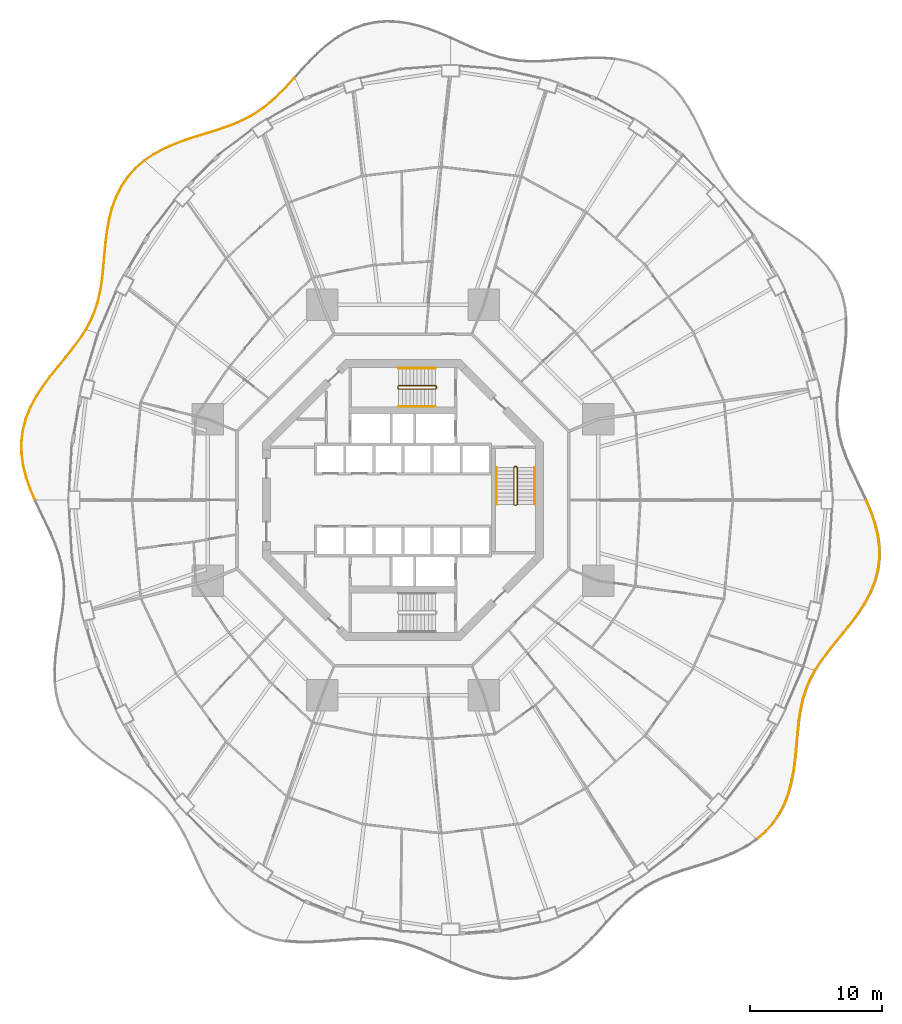
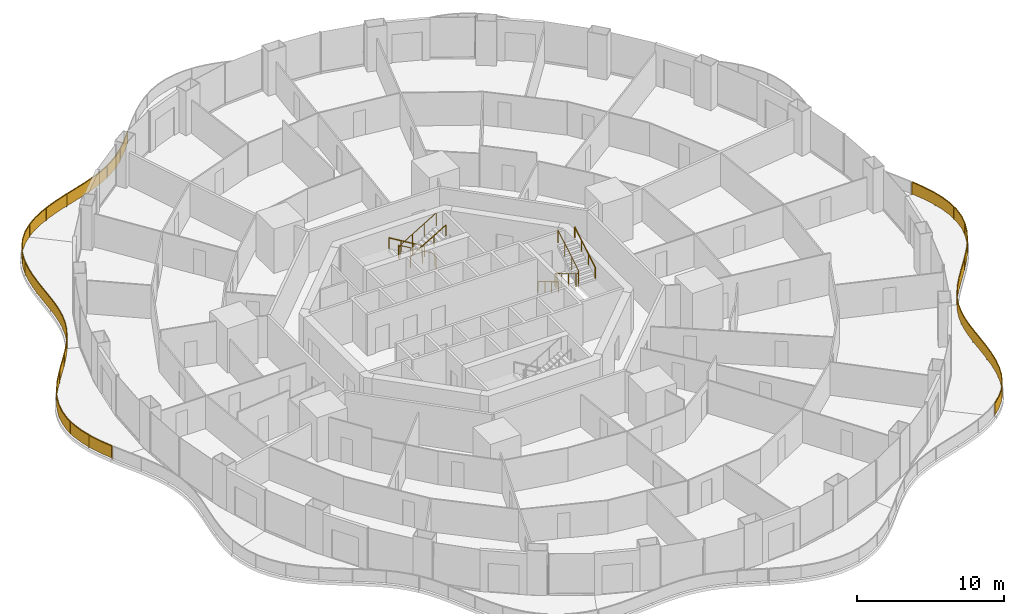
# One storey, part 20 of 21: 11 railings.
"""IFC4 building model written with IfcOpenShell, lengths in metres."""

from ifc_helpers import new_model, si_unit, direction, frame, origin, origin_2d, place, context, subcontext, project, spatial, polyline, rectangle, circle, outline, extrude, material, type_object, element, save


model = new_model("IFC4")

# Units and contexts
model_context = context("Model", 3, precision=1e-05, world=origin(), true_north=direction((0.0, 1.0)))
body_context = subcontext(model_context, "Body", "Model", "MODEL_VIEW")
ifc_project = project(units=[si_unit("LENGTHUNIT", "METRE"), si_unit("AREAUNIT", "SQUARE_METRE"), si_unit("VOLUMEUNIT", "CUBIC_METRE"), si_unit("PLANEANGLEUNIT", "RADIAN"), si_unit("MASSUNIT", "GRAM", prefix="KILO")], contexts=[model_context])

# Site, building, storey
site_placement = place(None, origin())
site = spatial("IfcSite", under=ifc_project, at=site_placement, CompositionType="ELEMENT")
building_placement = place(site_placement, origin())
building = spatial("IfcBuilding", under=site, at=building_placement, Name="Nagisa Residences", CompositionType="ELEMENT")
storey_placement = place(building_placement, frame((0.0, 0.0, 60.300048828125)))
storey = spatial("IfcBuildingStorey", under=building, at=storey_placement, Name="L14", CompositionType="ELEMENT", Elevation=60.300048828125)

# Railings
ifc_material_1 = material(Name="Stainless steel 316", Category="steel")
railing_type_1 = type_object("IfcRailingType", Name="BALCONY GUARD 1100", PredefinedType="BALUSTRADE", material=ifc_material_1)
railing_1_placement = place(storey_placement, frame((-8.225341796875, 31.950927734375, 0.0)))
element("IfcRailing", 1, at=railing_1_placement, inside=storey, type_object=railing_type_1, Name="guard:L14:bal05-0", PredefinedType="BALUSTRADE", context=body_context, shape_type="SweptSolid", body=[
    extrude(outline(polyline([(-0.520751953125, -0.6103515625), (0.0185546875, -0.016845703125), (-0.0185546875, 0.016845703125), (-0.557373046875, -0.576171875), (-1.127197265625, -1.16748046875), (-1.707275390625, -1.712890625), (-2.307373046875, -2.204833984375), (-2.936767578125, -2.640625), (-3.587646484375, -3.012451171875), (-4.29248046875, -3.344482421875), (-5.03662109375, -3.63720703125), (-5.8173828125, -3.903076171875), (-6.626953125, -4.156982421875), (-7.443603515625, -4.40380859375), (-8.27880859375, -4.680908203125), (-9.105224609375, -4.992431640625), (-9.9072265625, -5.351806640625), (-10.669189453125, -5.768798828125), (-11.337646484375, -6.223388671875), (-11.309326171875, -6.264892578125), (-10.642822265625, -5.811767578125), (-9.884765625, -5.396728515625), (-9.086181640625, -5.038818359375), (-8.26220703125, -4.728271484375), (-7.428466796875, -4.45166015625), (-6.6123046875, -4.204833984375), (-5.8017578125, -3.950439453125), (-5.01953125, -3.68408203125), (-4.2724609375, -3.390380859375), (-3.564697265625, -3.056884765625), (-2.909912109375, -2.68310546875), (-2.277099609375, -2.244873046875), (-1.674072265625, -1.75048828125), (-1.092041015625, -1.203125), (-0.520751953125, -0.6103515625)])), frame((0.0, 0.0, 1.050048828125)), (0.0, 0.0, 1.0), 0.050048828125),
    extrude(outline(polyline([(-0.533935546875, -0.59814453125), (0.005126953125, -0.004638671875), (-0.005126953125, 0.004638671875), (-0.544189453125, -0.58837890625), (-1.114501953125, -1.180419921875), (-1.6953125, -1.726318359375), (-2.29638671875, -2.21923828125), (-2.927001953125, -2.656005859375), (-3.579345703125, -3.028564453125), (-4.28515625, -3.361083984375), (-5.030517578125, -3.654052734375), (-5.811767578125, -3.920166015625), (-6.62158203125, -4.17431640625), (-7.438232421875, -4.421142578125), (-8.27294921875, -4.697998046875), (-9.098388671875, -5.009033203125), (-9.899169921875, -5.367919921875), (-10.65966796875, -5.784423828125), (-11.327392578125, -6.23828125), (-11.319580078125, -6.25), (-10.65234375, -5.796142578125), (-9.892822265625, -5.380615234375), (-9.093017578125, -5.022216796875), (-8.26806640625, -4.711181640625), (-7.433837890625, -4.434326171875), (-6.61767578125, -4.1875), (-5.807373046875, -3.933349609375), (-5.025634765625, -3.667236328125), (-4.27978515625, -3.373779296875), (-3.572998046875, -3.040771484375), (-2.919677734375, -2.667724609375), (-2.2880859375, -2.23046875), (-1.68603515625, -1.737060546875), (-1.104736328125, -1.190185546875), (-0.533935546875, -0.59814453125)])), frame((0.0, 0.0, 0.06005859375)), (0.0, 0.0, 1.0), 0.989990234375),
    extrude(rectangle(XDim=0.0400390625, YDim=0.0400390625, at=origin_2d()), origin(), (0.0, 0.0, 1.0), 1.050048828125),
    extrude(rectangle(XDim=0.0400390625, YDim=0.0400390625, at=origin_2d()), frame((-1.52197265625, -1.5732421875, 0.0)), (0.0, 0.0, 1.0), 1.050048828125),
    extrude(rectangle(XDim=0.0400390625, YDim=0.0400390625, at=origin_2d()), frame((-3.281982421875, -2.86669921875, 0.0)), (0.0, 0.0, 1.0), 1.050048828125),
    extrude(rectangle(XDim=0.0400390625, YDim=0.0400390625, at=origin_2d()), frame((-5.282958984375, -3.747314453125, 0.0)), (0.0, 0.0, 1.0), 1.050048828125),
    extrude(rectangle(XDim=0.0400390625, YDim=0.0400390625, at=origin_2d()), frame((-7.37060546875, -4.407958984375, 0.0)), (0.0, 0.0, 1.0), 1.050048828125),
    extrude(rectangle(XDim=0.0400390625, YDim=0.0400390625, at=origin_2d()), frame((-9.4248046875, -5.1630859375, 0.0)), (0.0, 0.0, 1.0), 1.050048828125),
    extrude(rectangle(XDim=0.0400390625, YDim=0.0400390625, at=origin_2d()), frame((-11.323486328125, -6.244140625, 0.0)), (0.0, 0.0, 1.0), 1.050048828125),
])
railing_2_placement = place(storey_placement, frame((-19.6103515625, 25.66015625, 0.0)))
element("IfcRailing", 2, at=railing_2_placement, inside=storey, type_object=railing_type_1, Name="guard:L14:bal06-0", PredefinedType="BALUSTRADE", context=body_context, shape_type="SweptSolid", body=[
    extrude(outline(polyline([(-0.615478515625, -0.565185546875), (0.016357421875, -0.01904296875), (-0.016357421875, 0.01904296875), (-0.650634765625, -0.529541015625), (-1.23486328125, -1.185546875), (-1.7275390625, -1.912841796875), (-2.126953125, -2.703125), (-2.43701171875, -3.545166015625), (-2.658447265625, -4.412353515625), (-2.82177734375, -5.31591796875), (-2.9365234375, -6.22900390625), (-3.02197265625, -7.1376953125), (-3.10009765625, -8.030029296875), (-3.185302734375, -8.88427734375), (-3.310302734375, -9.7197265625), (-3.48486328125, -10.52099609375), (-3.721923828125, -11.287841796875), (-4.028076171875, -12.023681640625), (-4.386474609375, -12.6982421875), (-4.342041015625, -12.7216796875), (-3.982666015625, -12.045166015625), (-3.674560546875, -11.304931640625), (-3.4365234375, -10.53369140625), (-3.260986328125, -9.72900390625), (-3.135498046875, -8.890625), (-3.05029296875, -8.034912109375), (-2.97216796875, -7.14208984375), (-2.88671875, -6.234375), (-2.7724609375, -5.32373046875), (-2.609619140625, -4.423095703125), (-2.38916015625, -3.559814453125), (-2.0810546875, -2.72314453125), (-1.68408203125, -1.938232421875), (-1.1953125, -1.21630859375), (-0.615478515625, -0.565185546875)])), frame((0.0, 0.0, 1.050048828125)), (0.0, 0.0, 1.0), 0.050048828125),
    extrude(outline(polyline([(-0.628173828125, -0.55224609375), (0.004638671875, -0.00537109375), (-0.004638671875, 0.00537109375), (-0.637939453125, -0.54248046875), (-1.220703125, -1.196533203125), (-1.7119140625, -1.921875), (-2.1103515625, -2.71044921875), (-2.419677734375, -3.55029296875), (-2.640869140625, -4.416259765625), (-2.803955078125, -5.31884765625), (-2.918701171875, -6.23095703125), (-3.004150390625, -7.13916015625), (-3.082275390625, -8.03173828125), (-3.167236328125, -8.886474609375), (-3.29248046875, -9.72314453125), (-3.467529296875, -10.525634765625), (-3.704833984375, -11.2939453125), (-4.01171875, -12.031494140625), (-4.370361328125, -12.706787109375), (-4.358154296875, -12.713134765625), (-3.9990234375, -12.037353515625), (-3.691650390625, -11.298828125), (-3.453857421875, -10.529052734375), (-3.27880859375, -9.7255859375), (-3.153564453125, -8.888427734375), (-3.068115234375, -8.033203125), (-2.989990234375, -7.140625), (-2.904541015625, -6.232421875), (-2.790283203125, -5.32080078125), (-2.627197265625, -4.419189453125), (-2.406494140625, -3.5546875), (-2.09765625, -2.7158203125), (-1.69970703125, -1.92919921875), (-1.20947265625, -1.205322265625), (-0.628173828125, -0.55224609375)])), frame((0.0, 0.0, 0.06005859375)), (0.0, 0.0, 1.0), 0.989990234375),
    extrude(rectangle(XDim=0.0400390625, YDim=0.0400390625, at=origin_2d()), origin(), (0.0, 0.0, 1.0), 1.050048828125),
    extrude(rectangle(XDim=0.0400390625, YDim=0.0400390625, at=origin_2d()), frame((-1.544677734375, -1.6875, 0.0)), (0.0, 0.0, 1.0), 1.050048828125),
    extrude(rectangle(XDim=0.0400390625, YDim=0.0400390625, at=origin_2d()), frame((-2.47119140625, -3.7802734375, 0.0)), (0.0, 0.0, 1.0), 1.050048828125),
    extrude(rectangle(XDim=0.0400390625, YDim=0.0400390625, at=origin_2d()), frame((-2.887451171875, -6.0390625, 0.0)), (0.0, 0.0, 1.0), 1.050048828125),
    extrude(rectangle(XDim=0.0400390625, YDim=0.0400390625, at=origin_2d()), frame((-3.104736328125, -8.328369140625, 0.0)), (0.0, 0.0, 1.0), 1.050048828125),
    extrude(rectangle(XDim=0.0400390625, YDim=0.0400390625, at=origin_2d()), frame((-3.481201171875, -10.593994140625, 0.0)), (0.0, 0.0, 1.0), 1.050048828125),
    extrude(rectangle(XDim=0.0400390625, YDim=0.0400390625, at=origin_2d()), frame((-4.3642578125, -12.7099609375, 0.0)), (0.0, 0.0, 1.0), 1.050048828125),
])
railing_3_placement = place(storey_placement, frame((-24.011474609375, 12.89013671875, 0.0)))
element("IfcRailing", 3, at=railing_3_placement, inside=storey, type_object=railing_type_1, Name="guard:L14:bal07-0", PredefinedType="BALUSTRADE", context=body_context, shape_type="SweptSolid", body=[
    extrude(outline(polyline([(-0.418212890625, -0.6953125), (0.02099609375, -0.013671875), (-0.02099609375, 0.013671875), (-0.459228515625, -0.6669921875), (-0.97998046875, -1.37353515625), (-1.545654296875, -2.080810546875), (-2.13427734375, -2.798583984375), (-2.7216796875, -3.533935546875), (-3.279296875, -4.27978515625), (-3.787841796875, -5.0673828125), (-4.220947265625, -5.8837890625), (-4.558837890625, -6.727294921875), (-4.786865234375, -7.59423828125), (-4.895751953125, -8.465087890625), (-4.886962890625, -9.360107421875), (-4.765625, -10.258544921875), (-4.543701171875, -11.15283203125), (-4.23974609375, -12.037353515625), (-3.8916015625, -12.86474609375), (-3.845703125, -12.84521484375), (-4.19287109375, -12.019287109375), (-4.495849609375, -11.138671875), (-4.71630859375, -10.249267578125), (-4.837158203125, -9.356689453125), (-4.845458984375, -8.468017578125), (-4.737548828125, -7.603515625), (-4.510986328125, -6.742919921875), (-4.175537109375, -5.90478515625), (-3.744873046875, -5.0927734375), (-3.23828125, -4.30859375), (-2.68212890625, -3.564697265625), (-2.09521484375, -2.829833984375), (-1.506591796875, -2.112548828125), (-0.9404296875, -1.40380859375), (-0.418212890625, -0.6953125)])), frame((0.0, 0.0, 1.050048828125)), (0.0, 0.0, 1.0), 0.050048828125),
    extrude(outline(polyline([(-0.432861328125, -0.68505859375), (0.005859375, -0.00390625), (-0.005859375, 0.00390625), (-0.444580078125, -0.67724609375), (-0.9658203125, -1.384521484375), (-1.531494140625, -2.09228515625), (-2.1201171875, -2.809814453125), (-2.70751953125, -3.544921875), (-3.2646484375, -4.290283203125), (-3.7724609375, -5.076416015625), (-4.20458984375, -5.891357421875), (-4.54150390625, -6.73291015625), (-4.76904296875, -7.59765625), (-4.877685546875, -8.466064453125), (-4.869140625, -9.35888671875), (-4.747802734375, -10.255126953125), (-4.526611328125, -11.147705078125), (-4.222900390625, -12.03076171875), (-3.875, -12.857666015625), (-3.8623046875, -12.852294921875), (-4.209716796875, -12.02587890625), (-4.512939453125, -11.143798828125), (-4.734130859375, -10.252685546875), (-4.85498046875, -9.35791015625), (-4.863525390625, -8.467041015625), (-4.75537109375, -7.60009765625), (-4.5283203125, -6.7373046875), (-4.19189453125, -5.897216796875), (-3.76025390625, -5.083740234375), (-3.2529296875, -4.298095703125), (-2.6962890625, -3.5537109375), (-2.109375, -2.818603515625), (-1.520751953125, -2.10107421875), (-0.95458984375, -1.392822265625), (-0.432861328125, -0.68505859375)])), frame((0.0, 0.0, 0.06005859375)), (0.0, 0.0, 1.0), 0.989990234375),
    extrude(rectangle(XDim=0.0400390625, YDim=0.0400390625, at=origin_2d()), origin(), (0.0, 0.0, 1.0), 1.050048828125),
    extrude(rectangle(XDim=0.0400390625, YDim=0.0400390625, at=origin_2d()), frame((-1.196044921875, -1.683837890625, 0.0)), (0.0, 0.0, 1.0), 1.050048828125),
    extrude(rectangle(XDim=0.0400390625, YDim=0.0400390625, at=origin_2d()), frame((-2.495849609375, -3.291259765625, 0.0)), (0.0, 0.0, 1.0), 1.050048828125),
    extrude(rectangle(XDim=0.0400390625, YDim=0.0400390625, at=origin_2d()), frame((-3.696533203125, -4.971923828125, 0.0)), (0.0, 0.0, 1.0), 1.050048828125),
    extrude(rectangle(XDim=0.0400390625, YDim=0.0400390625, at=origin_2d()), frame((-4.563232421875, -6.84228515625, 0.0)), (0.0, 0.0, 1.0), 1.050048828125),
    extrude(rectangle(XDim=0.0400390625, YDim=0.0400390625, at=origin_2d()), frame((-4.86669921875, -8.876953125, 0.0)), (0.0, 0.0, 1.0), 1.050048828125),
    extrude(rectangle(XDim=0.0400390625, YDim=0.0400390625, at=origin_2d()), frame((-4.576904296875, -10.915771484375, 0.0)), (0.0, 0.0, 1.0), 1.050048828125),
    extrude(rectangle(XDim=0.0400390625, YDim=0.0400390625, at=origin_2d()), frame((-3.86865234375, -12.85498046875, 0.0)), (0.0, 0.0, 1.0), 1.050048828125),
])
railing_4_placement = place(storey_placement, frame((26.810546875, -25.66015625, 0.0)))
element("IfcRailing", 4, at=railing_4_placement, inside=storey, type_object=railing_type_1, Name="guard:L14:bal14-0", PredefinedType="BALUSTRADE", context=body_context, shape_type="SweptSolid", body=[
    extrude(outline(polyline([(0.615234375, 0.565185546875), (-0.016357421875, 0.01904296875), (0.016357421875, -0.01904296875), (0.650390625, 0.529541015625), (1.234619140625, 1.185546875), (1.727294921875, 1.912841796875), (2.126708984375, 2.703125), (2.436767578125, 3.545166015625), (2.658203125, 4.412353515625), (2.821533203125, 5.31591796875), (2.936279296875, 6.22900390625), (3.021728515625, 7.1376953125), (3.099853515625, 8.030029296875), (3.185302734375, 8.88427734375), (3.31005859375, 9.7197265625), (3.48486328125, 10.52099609375), (3.7216796875, 11.287841796875), (4.02783203125, 12.023681640625), (4.38623046875, 12.6982421875), (4.341796875, 12.7216796875), (3.982421875, 12.045166015625), (3.67431640625, 11.304931640625), (3.4365234375, 10.53369140625), (3.2607421875, 9.72900390625), (3.135498046875, 8.890625), (3.050048828125, 8.034912109375), (2.971923828125, 7.14208984375), (2.886474609375, 6.234375), (2.772216796875, 5.32373046875), (2.609375, 4.423095703125), (2.388916015625, 3.559814453125), (2.080810546875, 2.72314453125), (1.683837890625, 1.938232421875), (1.195068359375, 1.21630859375), (0.615234375, 0.565185546875)])), frame((0.0, 0.0, 1.050048828125)), (0.0, 0.0, 1.0), 0.050048828125),
    extrude(outline(polyline([(0.6279296875, 0.55224609375), (-0.004638671875, 0.00537109375), (0.004638671875, -0.00537109375), (0.6376953125, 0.54248046875), (1.220458984375, 1.196533203125), (1.711669921875, 1.921875), (2.110107421875, 2.71044921875), (2.41943359375, 3.55029296875), (2.640625, 4.416259765625), (2.8037109375, 5.31884765625), (2.91845703125, 6.23095703125), (3.00390625, 7.13916015625), (3.08203125, 8.03173828125), (3.167236328125, 8.886474609375), (3.292236328125, 9.72314453125), (3.467529296875, 10.525634765625), (3.70458984375, 11.2939453125), (4.011474609375, 12.031494140625), (4.3701171875, 12.706787109375), (4.35791015625, 12.713134765625), (3.998779296875, 12.037353515625), (3.69140625, 11.298828125), (3.453857421875, 10.529052734375), (3.278564453125, 9.7255859375), (3.153564453125, 8.888427734375), (3.06787109375, 8.033203125), (2.98974609375, 7.140625), (2.904296875, 6.232421875), (2.7900390625, 5.32080078125), (2.626953125, 4.419189453125), (2.40625, 3.5546875), (2.097412109375, 2.7158203125), (1.699462890625, 1.92919921875), (1.209228515625, 1.205322265625), (0.6279296875, 0.55224609375)])), frame((0.0, 0.0, 0.06005859375)), (0.0, 0.0, 1.0), 0.989990234375),
    extrude(rectangle(XDim=0.0400390625, YDim=0.0400390625, at=origin_2d()), origin(), (0.0, 0.0, 1.0), 1.050048828125),
    extrude(rectangle(XDim=0.0400390625, YDim=0.0400390625, at=origin_2d()), frame((1.54443359375, 1.6875, 0.0)), (0.0, 0.0, 1.0), 1.050048828125),
    extrude(rectangle(XDim=0.0400390625, YDim=0.0400390625, at=origin_2d()), frame((2.470947265625, 3.7802734375, 0.0)), (0.0, 0.0, 1.0), 1.050048828125),
    extrude(rectangle(XDim=0.0400390625, YDim=0.0400390625, at=origin_2d()), frame((2.88720703125, 6.0390625, 0.0)), (0.0, 0.0, 1.0), 1.050048828125),
    extrude(rectangle(XDim=0.0400390625, YDim=0.0400390625, at=origin_2d()), frame((3.1044921875, 8.328369140625, 0.0)), (0.0, 0.0, 1.0), 1.050048828125),
    extrude(rectangle(XDim=0.0400390625, YDim=0.0400390625, at=origin_2d()), frame((3.481201171875, 10.59375, 0.0)), (0.0, 0.0, 1.0), 1.050048828125),
    extrude(rectangle(XDim=0.0400390625, YDim=0.0400390625, at=origin_2d()), frame((4.364013671875, 12.7099609375, 0.0)), (0.0, 0.0, 1.0), 1.050048828125),
])
railing_5_placement = place(storey_placement, frame((31.211669921875, -12.89013671875, 0.0)))
element("IfcRailing", 5, at=railing_5_placement, inside=storey, type_object=railing_type_1, Name="guard:L14:bal15-0", PredefinedType="BALUSTRADE", context=body_context, shape_type="SweptSolid", body=[
    extrude(outline(polyline([(0.41796875, 0.6953125), (-0.02099609375, 0.013427734375), (0.02099609375, -0.013427734375), (0.458984375, 0.6669921875), (0.97998046875, 1.37353515625), (1.54541015625, 2.0810546875), (2.134033203125, 2.798583984375), (2.721435546875, 3.533935546875), (3.279296875, 4.27978515625), (3.787841796875, 5.0673828125), (4.220703125, 5.8837890625), (4.55859375, 6.727294921875), (4.78662109375, 7.59423828125), (4.8955078125, 8.465087890625), (4.886962890625, 9.360107421875), (4.765625, 10.258544921875), (4.54345703125, 11.15283203125), (4.239501953125, 12.037353515625), (3.891357421875, 12.86474609375), (3.845458984375, 12.84521484375), (4.192626953125, 12.019287109375), (4.49560546875, 11.138671875), (4.71630859375, 10.249267578125), (4.837158203125, 9.356689453125), (4.84521484375, 8.468017578125), (4.7373046875, 7.603515625), (4.5107421875, 6.742919921875), (4.17529296875, 5.90478515625), (3.744873046875, 5.0927734375), (3.23828125, 4.30859375), (2.681884765625, 3.564697265625), (2.094970703125, 2.829833984375), (1.50634765625, 2.1123046875), (0.9404296875, 1.40380859375), (0.41796875, 0.6953125)])), frame((0.0, 0.0, 1.050048828125)), (0.0, 0.0, 1.0), 0.050048828125),
    extrude(outline(polyline([(0.4326171875, 0.68505859375), (-0.005859375, 0.00390625), (0.005859375, -0.00390625), (0.4443359375, 0.67724609375), (0.9658203125, 1.384521484375), (1.53125, 2.09228515625), (2.119873046875, 2.809814453125), (2.707275390625, 3.544921875), (3.2646484375, 4.290283203125), (3.7724609375, 5.076416015625), (4.204345703125, 5.891357421875), (4.541259765625, 6.73291015625), (4.768798828125, 7.59765625), (4.87744140625, 8.466064453125), (4.869140625, 9.35888671875), (4.747802734375, 10.255126953125), (4.5263671875, 11.147705078125), (4.22265625, 12.03076171875), (3.874755859375, 12.857666015625), (3.862060546875, 12.852294921875), (4.20947265625, 12.02587890625), (4.5126953125, 11.143798828125), (4.734130859375, 10.252685546875), (4.85498046875, 9.35791015625), (4.86328125, 8.467041015625), (4.755126953125, 7.60009765625), (4.528076171875, 6.7373046875), (4.191650390625, 5.897216796875), (3.76025390625, 5.083740234375), (3.2529296875, 4.298095703125), (2.696044921875, 3.5537109375), (2.109130859375, 2.818603515625), (1.5205078125, 2.10107421875), (0.95458984375, 1.392822265625), (0.4326171875, 0.68505859375)])), frame((0.0, 0.0, 0.06005859375)), (0.0, 0.0, 1.0), 0.989990234375),
    extrude(rectangle(XDim=0.0400390625, YDim=0.0400390625, at=origin_2d()), origin(), (0.0, 0.0, 1.0), 1.050048828125),
    extrude(rectangle(XDim=0.0400390625, YDim=0.0400390625, at=origin_2d()), frame((1.196044921875, 1.683837890625, 0.0)), (0.0, 0.0, 1.0), 1.050048828125),
    extrude(rectangle(XDim=0.0400390625, YDim=0.0400390625, at=origin_2d()), frame((2.49560546875, 3.291259765625, 0.0)), (0.0, 0.0, 1.0), 1.050048828125),
    extrude(rectangle(XDim=0.0400390625, YDim=0.0400390625, at=origin_2d()), frame((3.696533203125, 4.971923828125, 0.0)), (0.0, 0.0, 1.0), 1.050048828125),
    extrude(rectangle(XDim=0.0400390625, YDim=0.0400390625, at=origin_2d()), frame((4.56298828125, 6.842529296875, 0.0)), (0.0, 0.0, 1.0), 1.050048828125),
    extrude(rectangle(XDim=0.0400390625, YDim=0.0400390625, at=origin_2d()), frame((4.866455078125, 8.876953125, 0.0)), (0.0, 0.0, 1.0), 1.050048828125),
    extrude(rectangle(XDim=0.0400390625, YDim=0.0400390625, at=origin_2d()), frame((4.57666015625, 10.915771484375, 0.0)), (0.0, 0.0, 1.0), 1.050048828125),
    extrude(rectangle(XDim=0.0400390625, YDim=0.0400390625, at=origin_2d()), frame((3.868408203125, 12.85498046875, 0.0)), (0.0, 0.0, 1.0), 1.050048828125),
])
ifc_material_2 = material(Name="Stainless steel", Category="steel")
railing_type_2 = type_object("IfcRailingType", Name="Stair guard 1100", PredefinedType="GUARDRAIL", material=ifc_material_2)
railing_6_placement = place(storey_placement, frame((8.599609375, 2.52490234375, 0.0)))
element("IfcRailing", 6, at=railing_6_placement, inside=storey, type_object=railing_type_2, Name="L14 ST-E stair guard 1", PredefinedType="GUARDRAIL", context=body_context, shape_type="SweptSolid", body=[
    extrude(circle(Radius=0.02392578125, at=origin_2d()), frame((0.0, 0.0, 1.076171875), z_axis=(-1.0, 0.0, 0.0), x_axis=(0.0, -1.0, 0.0)), (0.0, 0.0, 1.0), 0.14990234375),
    extrude(circle(Radius=0.02392578125, at=origin_2d()), frame((-0.14990234375, 0.0, 1.076171875), z_axis=(-0.27434429532, -0.273006030465, 0.922064485248), x_axis=(0.705375805398, -0.708833529934, 0.0)), (0.0, 0.0, 1.0), 0.182373046875),
    extrude(circle(Radius=0.02392578125, at=origin_2d()), frame((-0.199951171875, -0.0498046875, 1.244140625), z_axis=(0.0, -0.857275202839, 0.514858452973), x_axis=(1.0, 0.0, 0.0)), (0.0, 0.0, 1.0), 3.26611328125),
    extrude(circle(Radius=0.02392578125, at=origin_2d()), frame((-0.199951171875, -2.849853515625, 2.92578125), z_axis=(0.707106781187, -0.707106781187, 0.0), x_axis=(0.707106781187, 0.707106781187, 0.0)), (0.0, 0.0, 1.0), 0.07080078125),
    extrude(circle(Radius=0.02392578125, at=origin_2d()), frame((-0.14990234375, -2.89990234375, 2.92578125), z_axis=(1.0, 0.0, 0.0), x_axis=(0.0, 1.0, 0.0)), (0.0, 0.0, 1.0), 0.14990234375),
    extrude(circle(Radius=0.02392578125, at=origin_2d()), frame((0.0, -2.89990234375, 2.92578125), z_axis=(0.274243871929, 0.274243871929, 0.92172696468), x_axis=(-0.707106781187, 0.707106781187, 0.0)), (0.0, 0.0, 1.0), 0.1826171875),
    extrude(circle(Radius=0.02392578125, at=origin_2d()), frame((0.050048828125, -2.849853515625, 3.09423828125), z_axis=(0.0, 0.857242210791, 0.514913383045), x_axis=(-1.0, 0.0, 0.0)), (0.0, 0.0, 1.0), 3.266357421875),
    extrude(circle(Radius=0.02099609375, at=origin_2d()), origin(), (0.0, 0.0, 1.0), 1.052001953125),
    extrude(circle(Radius=0.02099609375, at=origin_2d()), frame((-0.14990234375, 0.0, 0.0)), (0.0, 0.0, 1.0), 1.052001953125),
    extrude(circle(Radius=0.02099609375, at=origin_2d()), frame((-0.199951171875, -0.0498046875, 0.168212890625)), (0.0, 0.0, 1.0), 1.052001953125),
    extrude(circle(Radius=0.02099609375, at=origin_2d()), frame((-0.199951171875, -0.983154296875, 0.728759765625)), (0.0, 0.0, 1.0), 1.052001953125),
    extrude(circle(Radius=0.02099609375, at=origin_2d()), frame((-0.199951171875, -1.91650390625, 1.289306640625)), (0.0, 0.0, 1.0), 1.052001953125),
    extrude(circle(Radius=0.02099609375, at=origin_2d()), frame((-0.199951171875, -2.849853515625, 1.849853515625)), (0.0, 0.0, 1.0), 1.052001953125),
    extrude(circle(Radius=0.02099609375, at=origin_2d()), frame((-0.14990234375, -2.89990234375, 1.849853515625)), (0.0, 0.0, 1.0), 1.052001953125),
    extrude(circle(Radius=0.02099609375, at=origin_2d()), frame((0.0, -2.89990234375, 1.849853515625)), (0.0, 0.0, 1.0), 1.052001953125),
    extrude(circle(Radius=0.02099609375, at=origin_2d()), frame((0.050048828125, -2.849853515625, 2.01806640625)), (0.0, 0.0, 1.0), 1.052001953125),
    extrude(circle(Radius=0.02099609375, at=origin_2d()), frame((0.050048828125, -1.91650390625, 2.57861328125)), (0.0, 0.0, 1.0), 1.052001953125),
    extrude(circle(Radius=0.02099609375, at=origin_2d()), frame((0.050048828125, -0.983154296875, 3.139404296875)), (0.0, 0.0, 1.0), 1.052001953125),
    extrude(circle(Radius=0.02099609375, at=origin_2d()), frame((0.050048828125, -0.0498046875, 3.699951171875)), (0.0, 0.0, 1.0), 1.052001953125),
])
railing_7_placement = place(storey_placement, frame((2.52490234375, 8.44970703125, 0.0)))
element("IfcRailing", 7, at=railing_7_placement, inside=storey, type_object=railing_type_2, Name="L14 ST-N stair guard 1", PredefinedType="GUARDRAIL", context=body_context, shape_type="SweptSolid", body=[
    extrude(circle(Radius=0.02392578125, at=origin_2d()), frame((0.0, 0.0, 1.076171875), z_axis=(0.0, 1.0, 0.0), x_axis=(-1.0, 0.0, 0.0)), (0.0, 0.0, 1.0), 0.14990234375),
    extrude(circle(Radius=0.02392578125, at=origin_2d()), frame((0.0, 0.14990234375, 1.076171875), z_axis=(-0.273006030465, 0.27434429532, 0.922064485248), x_axis=(-0.708833529934, -0.705375805398, 0.0)), (0.0, 0.0, 1.0), 0.182373046875),
    extrude(circle(Radius=0.02392578125, at=origin_2d()), frame((-0.0498046875, 0.199951171875, 1.244140625), z_axis=(-0.857275202839, 0.0, 0.514858452973), x_axis=(0.0, -1.0, 0.0)), (0.0, 0.0, 1.0), 3.26611328125),
    extrude(circle(Radius=0.02392578125, at=origin_2d()), frame((-2.849853515625, 0.199951171875, 2.92578125), z_axis=(-0.707106781187, -0.707106781187, 0.0), x_axis=(0.707106781187, -0.707106781187, 0.0)), (0.0, 0.0, 1.0), 0.07080078125),
    extrude(circle(Radius=0.02392578125, at=origin_2d()), frame((-2.89990234375, 0.14990234375, 2.92578125), z_axis=(0.0, -1.0, 0.0), x_axis=(1.0, 0.0, 0.0)), (0.0, 0.0, 1.0), 0.14990234375),
    extrude(circle(Radius=0.02392578125, at=origin_2d()), frame((-2.89990234375, 0.0, 2.92578125), z_axis=(0.274243871929, -0.274243871929, 0.92172696468), x_axis=(0.707106781187, 0.707106781187, 0.0)), (0.0, 0.0, 1.0), 0.1826171875),
    extrude(circle(Radius=0.02392578125, at=origin_2d()), frame((-2.849853515625, -0.050048828125, 3.09423828125), z_axis=(0.857242210791, 0.0, 0.514913383045), x_axis=(0.0, 1.0, 0.0)), (0.0, 0.0, 1.0), 3.266357421875),
    extrude(circle(Radius=0.02099609375, at=origin_2d()), origin(), (0.0, 0.0, 1.0), 1.052001953125),
    extrude(circle(Radius=0.02099609375, at=origin_2d()), frame((0.0, 0.14990234375, 0.0)), (0.0, 0.0, 1.0), 1.052001953125),
    extrude(circle(Radius=0.02099609375, at=origin_2d()), frame((-0.0498046875, 0.199951171875, 0.168212890625)), (0.0, 0.0, 1.0), 1.052001953125),
    extrude(circle(Radius=0.02099609375, at=origin_2d()), frame((-0.983154296875, 0.199951171875, 0.728759765625)), (0.0, 0.0, 1.0), 1.052001953125),
    extrude(circle(Radius=0.02099609375, at=origin_2d()), frame((-1.91650390625, 0.199951171875, 1.289306640625)), (0.0, 0.0, 1.0), 1.052001953125),
    extrude(circle(Radius=0.02099609375, at=origin_2d()), frame((-2.849853515625, 0.199951171875, 1.849853515625)), (0.0, 0.0, 1.0), 1.052001953125),
    extrude(circle(Radius=0.02099609375, at=origin_2d()), frame((-2.89990234375, 0.14990234375, 1.849853515625)), (0.0, 0.0, 1.0), 1.052001953125),
    extrude(circle(Radius=0.02099609375, at=origin_2d()), frame((-2.89990234375, 0.0, 1.849853515625)), (0.0, 0.0, 1.0), 1.052001953125),
    extrude(circle(Radius=0.02099609375, at=origin_2d()), frame((-2.849853515625, -0.050048828125, 2.01806640625)), (0.0, 0.0, 1.0), 1.052001953125),
    extrude(circle(Radius=0.02099609375, at=origin_2d()), frame((-1.91650390625, -0.050048828125, 2.57861328125)), (0.0, 0.0, 1.0), 1.052001953125),
    extrude(circle(Radius=0.02099609375, at=origin_2d()), frame((-0.983154296875, -0.050048828125, 3.139404296875)), (0.0, 0.0, 1.0), 1.052001953125),
    extrude(circle(Radius=0.02099609375, at=origin_2d()), frame((-0.0498046875, -0.050048828125, 3.699951171875)), (0.0, 0.0, 1.0), 1.052001953125),
])
ifc_material_3 = material(Name="Stainless steel", Category="steel")
railing_type_3 = type_object("IfcRailingType", Name="Stair handrail 900", PredefinedType="HANDRAIL", material=ifc_material_3)
railing_8_placement = place(storey_placement, frame((7.07470703125, 2.47509765625, 0.168212890625)))
element("IfcRailing", 8, at=railing_8_placement, inside=storey, type_object=railing_type_3, Name="L14 ST-E stair handrail 1", PredefinedType="HANDRAIL", context=body_context, shape_type="SweptSolid", body=[
    extrude(circle(Radius=0.02392578125, at=origin_2d()), frame((0.0, 0.0, 0.8759765625), z_axis=(0.0, -0.857275202839, 0.514858452973), x_axis=(1.0, 0.0, 0.0)), (0.0, 0.0, 1.0), 3.26611328125),
    extrude(circle(Radius=0.02099609375, at=origin_2d()), origin(), (0.0, 0.0, 1.0), 0.851806640625),
    extrude(circle(Radius=0.02099609375, at=origin_2d()), frame((0.0, -0.933349609375, 0.560546875)), (0.0, 0.0, 1.0), 0.851806640625),
    extrude(circle(Radius=0.02099609375, at=origin_2d()), frame((0.0, -1.86669921875, 1.12109375)), (0.0, 0.0, 1.0), 0.851806640625),
    extrude(circle(Radius=0.02099609375, at=origin_2d()), frame((0.0, -2.800048828125, 1.681640625)), (0.0, 0.0, 1.0), 0.851806640625),
])
railing_9_placement = place(storey_placement, frame((9.974609375, -0.324951171875, 2.01806640625)))
element("IfcRailing", 9, at=railing_9_placement, inside=storey, type_object=railing_type_3, Name="L14 ST-E stair handrail 2", PredefinedType="HANDRAIL", context=body_context, shape_type="SweptSolid", body=[
    extrude(circle(Radius=0.02392578125, at=origin_2d()), frame((0.0, 0.0, 0.8759765625), z_axis=(0.0, 0.857242210791, 0.514913383045), x_axis=(-1.0, 0.0, 0.0)), (0.0, 0.0, 1.0), 3.266357421875),
    extrude(circle(Radius=0.02099609375, at=origin_2d()), origin(), (0.0, 0.0, 1.0), 0.851806640625),
    extrude(circle(Radius=0.02099609375, at=origin_2d()), frame((0.0, 0.933349609375, 0.560546875)), (0.0, 0.0, 1.0), 0.851806640625),
    extrude(circle(Radius=0.02099609375, at=origin_2d()), frame((0.0, 1.86669921875, 1.121337890625)), (0.0, 0.0, 1.0), 0.851806640625),
    extrude(circle(Radius=0.02099609375, at=origin_2d()), frame((0.0, 2.800048828125, 1.681884765625)), (0.0, 0.0, 1.0), 0.851806640625),
])
railing_10_placement = place(storey_placement, frame((2.47509765625, 9.974609375, 0.168212890625)))
element("IfcRailing", 10, at=railing_10_placement, inside=storey, type_object=railing_type_3, Name="L14 ST-N stair handrail 1", PredefinedType="HANDRAIL", context=body_context, shape_type="SweptSolid", body=[
    extrude(circle(Radius=0.02392578125, at=origin_2d()), frame((0.0, 0.0, 0.8759765625), z_axis=(-0.857275202839, 0.0, 0.514858452973), x_axis=(0.0, -1.0, 0.0)), (0.0, 0.0, 1.0), 3.26611328125),
    extrude(circle(Radius=0.02099609375, at=origin_2d()), origin(), (0.0, 0.0, 1.0), 0.851806640625),
    extrude(circle(Radius=0.02099609375, at=origin_2d()), frame((-0.933349609375, 0.0, 0.560546875)), (0.0, 0.0, 1.0), 0.851806640625),
    extrude(circle(Radius=0.02099609375, at=origin_2d()), frame((-1.86669921875, 0.0, 1.12109375)), (0.0, 0.0, 1.0), 0.851806640625),
    extrude(circle(Radius=0.02099609375, at=origin_2d()), frame((-2.800048828125, 0.0, 1.681640625)), (0.0, 0.0, 1.0), 0.851806640625),
])
railing_11_placement = place(storey_placement, frame((-0.324951171875, 7.07470703125, 2.01806640625)))
element("IfcRailing", 11, at=railing_11_placement, inside=storey, type_object=railing_type_3, Name="L14 ST-N stair handrail 2", PredefinedType="HANDRAIL", context=body_context, shape_type="SweptSolid", body=[
    extrude(circle(Radius=0.02392578125, at=origin_2d()), frame((0.0, 0.0, 0.8759765625), z_axis=(0.857242210791, 0.0, 0.514913383045), x_axis=(0.0, 1.0, 0.0)), (0.0, 0.0, 1.0), 3.266357421875),
    extrude(circle(Radius=0.02099609375, at=origin_2d()), origin(), (0.0, 0.0, 1.0), 0.851806640625),
    extrude(circle(Radius=0.02099609375, at=origin_2d()), frame((0.933349609375, 0.0, 0.560546875)), (0.0, 0.0, 1.0), 0.851806640625),
    extrude(circle(Radius=0.02099609375, at=origin_2d()), frame((1.86669921875, 0.0, 1.121337890625)), (0.0, 0.0, 1.0), 0.851806640625),
    extrude(circle(Radius=0.02099609375, at=origin_2d()), frame((2.800048828125, 0.0, 1.681884765625)), (0.0, 0.0, 1.0), 0.851806640625),
])

save(model, "model.ifc")
